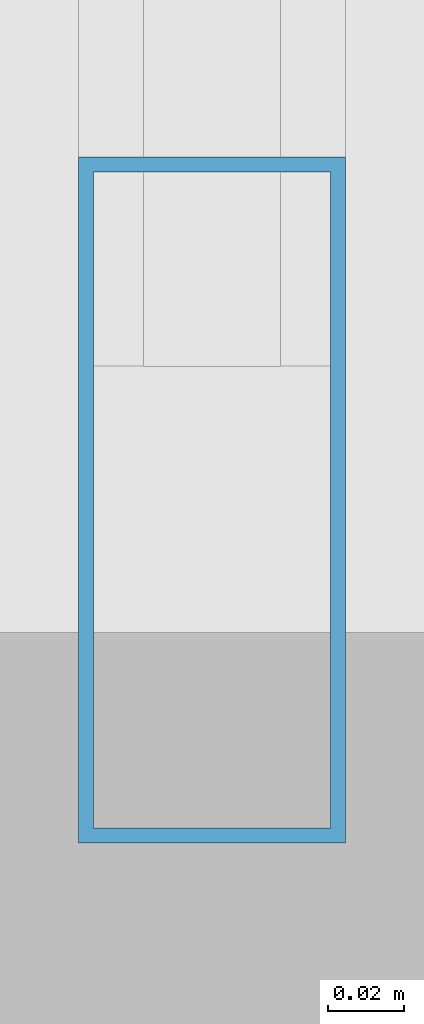
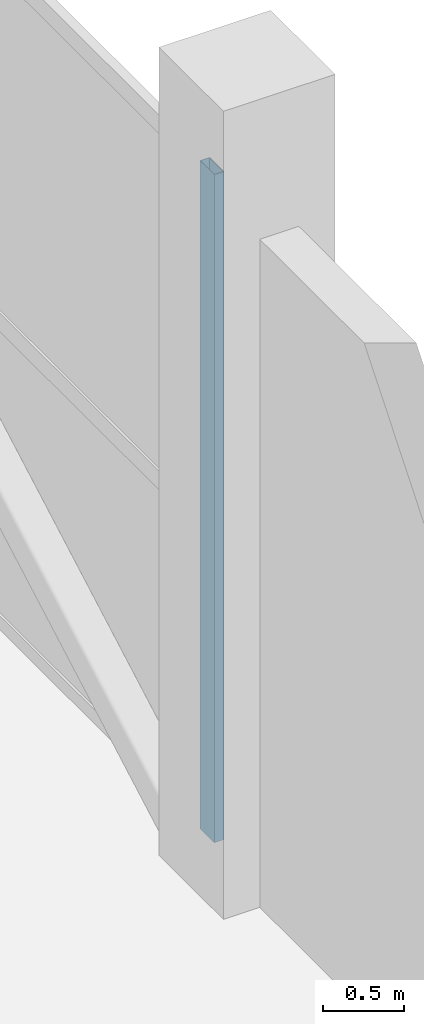
# One storey, part 17 of 58: 1 member, 1 element without a shape of its own.
"""IFC4 building model written with IfcOpenShell, lengths in metres."""

from ifc_helpers import new_model, si_unit, direction, frame, origin, origin_2d, place, context, subcontext, project, spatial, hollow_rectangle, extrude, material, layer, layer_set, material_profile, profile_set, type_object, element, aggregate, save


model = new_model("IFC4")

# Units and contexts
model_context = context("Model", 3, precision=1e-05, world=origin(), true_north=direction((0.0, 1.0)))
body_context = subcontext(model_context, "Body", "Model", "MODEL_VIEW")
ifc_project = project(units=[si_unit("LENGTHUNIT", "METRE"), si_unit("AREAUNIT", "SQUARE_METRE"), si_unit("VOLUMEUNIT", "CUBIC_METRE"), si_unit("PLANEANGLEUNIT", "RADIAN"), si_unit("MASSUNIT", "GRAM", prefix="KILO")], contexts=[model_context])

# Site, building, storey
site_placement = place(None, origin())
site = spatial("IfcSite", under=ifc_project, at=site_placement, CompositionType="ELEMENT")
building_placement = place(site_placement, origin())
building = spatial("IfcBuilding", under=site, at=building_placement, Name="Sillaruma Civic Art Gallery", CompositionType="ELEMENT")
storey_placement = place(building_placement, frame((0.0, 0.0, 22.43994140625)))
storey = spatial("IfcBuildingStorey", under=building, at=storey_placement, Name="L04", CompositionType="ELEMENT", Elevation=22.43994140625)

# Curtain wall, member
ifc_material = material(Name="Thermally Broken Extruded Aluminium 6063-T6", Category="aluminium")
ifc_layer = layer(ifc_material, 0.179931640625, Name="Thermally Broken Extruded Aluminium 6063-T6")
ifc_layer_set = layer_set([ifc_layer], Name="Thermally Broken Extruded Aluminium 6063-T6")
curtain_wall_type = type_object("IfcCurtainWallType", Name="CW-UNI-22", PredefinedType="NOTDEFINED", material=ifc_layer_set)
curtain_wall_placement = place(storey_placement, origin())
curtain_wall = element("IfcCurtainWall", 1, at=curtain_wall_placement, inside=storey, type_object=curtain_wall_type, Name="Unitised Curtain Wall CW-22 (CW-L04-E-3)", PredefinedType="NOTDEFINED")
ifc_material_profile = material_profile(ifc_material, hollow_rectangle(XDim=0.070068359375, YDim=0.179931640625, WallThickness=0.00390625, at=origin_2d()), Name="CWM70x180")
ifc_profile_set = profile_set([ifc_material_profile], Name="Thermally Broken Extruded Aluminium 6063-T6")
member_type = type_object("IfcMemberType", Name="MEM-MUL-CWM70x180", PredefinedType="MULLION", material=ifc_profile_set)
member_placement = place(storey_placement, frame((114.39990234375, 40.034912109375, 0.0), z_axis=(0.0, 0.0, 1.0), x_axis=(-1.0, 0.0, 0.0)))
member = element("IfcMember", 2, at=member_placement, type_object=member_type, Name="CW-22 mullion 1", PredefinedType="MULLION", context=body_context, shape_type="SweptSolid", body=[
    extrude(hollow_rectangle(XDim=0.070068359375, YDim=0.179931640625, WallThickness=0.00390625, at=origin_2d()), origin(), (0.0, 0.0, 1.0), 5.06005859375),
])
aggregate(curtain_wall, [member])

save(model, "model.ifc")
